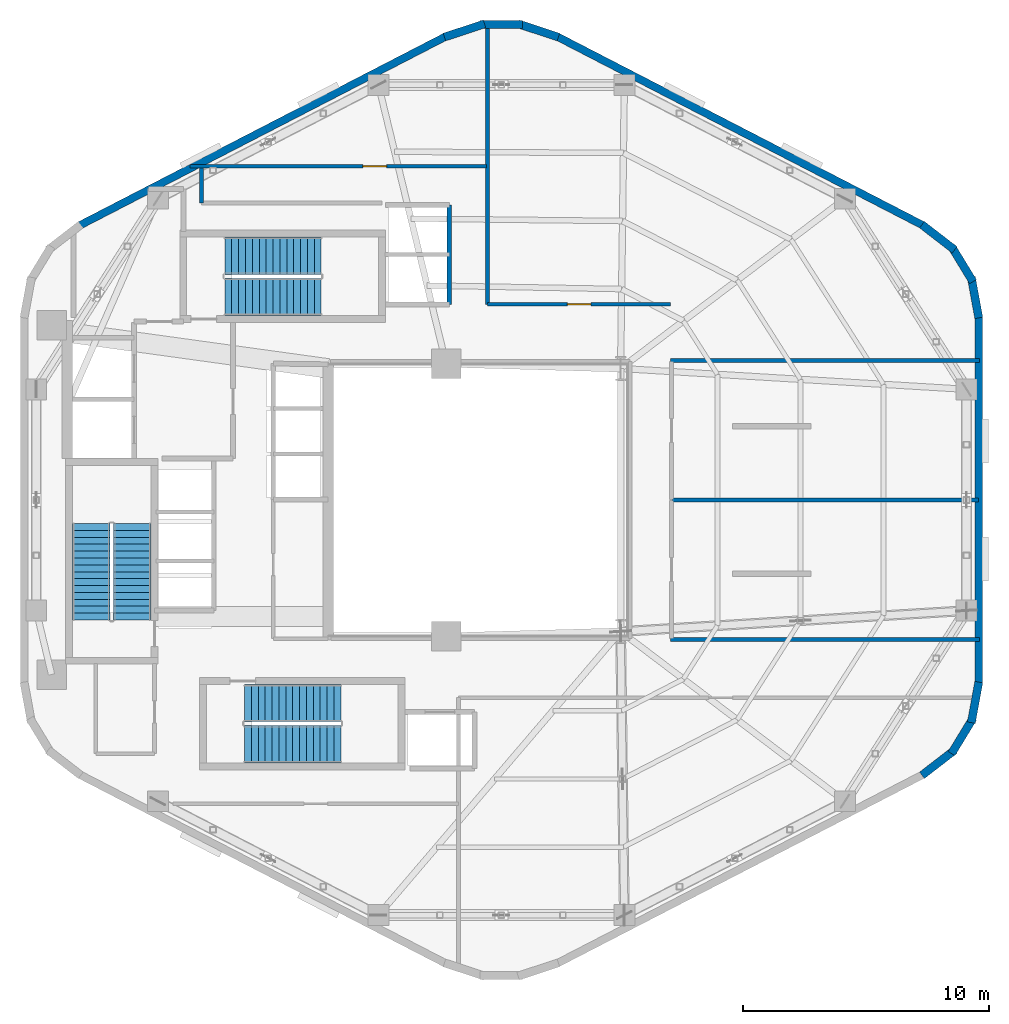
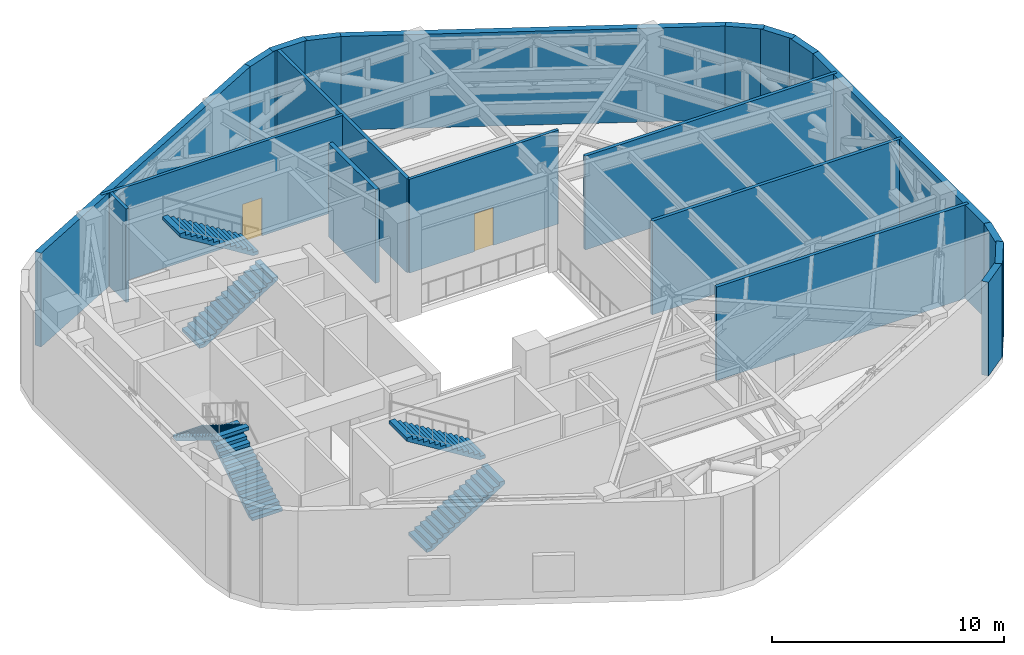
# One storey, part 8 of 10: 20 walls, 6 stair flights, 2 doors, 2 openings, 3 elements without a shape of their own.
"""IFC4 building model written with IfcOpenShell, lengths in metres."""

from ifc_helpers import new_model, si_unit, direction, frame, frame_2d, origin, place, context, subcontext, project, spatial, polyline, rectangle, outline, extrude, material, layer, layer_set, type_object, element, fill, aggregate, save


model = new_model("IFC4")

# Units and contexts
model_context = context("Model", 3, precision=1e-05, world=origin(), true_north=direction((0.0, 1.0)))
body_context = subcontext(model_context, "Body", "Model", "MODEL_VIEW")
ifc_project = project(units=[si_unit("LENGTHUNIT", "METRE"), si_unit("AREAUNIT", "SQUARE_METRE"), si_unit("VOLUMEUNIT", "CUBIC_METRE"), si_unit("PLANEANGLEUNIT", "RADIAN"), si_unit("MASSUNIT", "GRAM", prefix="KILO"), si_unit("THERMODYNAMICTEMPERATUREUNIT", "KELVIN"), si_unit("POWERUNIT", "WATT")], contexts=[model_context])

# Site, building, storey
site_placement = place(None, origin())
site = spatial("IfcSite", under=ifc_project, at=site_placement, CompositionType="ELEMENT")
building_placement = place(site_placement, origin())
building = spatial("IfcBuilding", under=site, at=building_placement, Name="Skarre Station Tower", CompositionType="ELEMENT")
storey_placement = place(building_placement, frame((0.0, 0.0, 191.25)))
storey = spatial("IfcBuildingStorey", under=building, at=storey_placement, Name="L52", CompositionType="ELEMENT", Elevation=191.25)

# Wall, opening, door
ifc_material_1 = material(Name="Acoustic Steel-Stud Gypsum Partition", Category="steel")
ifc_layer_1 = layer(ifc_material_1, 0.14990234375, Name="Acoustic Steel-Stud Gypsum Partition")
ifc_layer_set_1 = layer_set([ifc_layer_1], Name="Acoustic Steel-Stud Gypsum Partition")
wall_type_1 = type_object("IfcWallType", Name="Fire-Rated Corridor Acoustic Partition 150", PredefinedType="PARTITIONING", material=ifc_layer_set_1)
wall_1_placement = place(storey_placement, frame((34.0, 37.580078125, 0.0), z_axis=(0.0, 0.0, 1.0), x_axis=(-1.0, 0.0, 0.0)))
wall_1 = element("IfcWall", 1, at=wall_1_placement, inside=storey, type_object=wall_type_1, Name="L52 Interior Partition WL-PT-L52-PLTNW1-CW", PredefinedType="PARTITIONING", context=body_context, shape_type="SweptSolid", body=[
    extrude(rectangle(XDim=12.074951171875, YDim=0.14990234375, at=frame_2d((6.03759765625, 0.0))), origin(), (0.0, 0.0, 1.0), 4.93994140625),
])
opening_1_placement = place(wall_1_placement, frame((4.070068359375, 0.0, 0.0)))
opening_1 = element("IfcOpeningElement", 2, at=opening_1_placement, cuts=wall_1, Name="Opening DR-FD60", PredefinedType="OPENING", context=body_context, shape_type="SweptSolid", body=[
    extrude(rectangle(XDim=0.9599609375, YDim=2.0, at=frame_2d((0.47998046875, 1.0))), frame((0.0, 0.0849609375, 0.0), z_axis=(0.0, -1.0, 0.0), x_axis=(1.0, 0.0, 0.0)), (0.0, 0.0, 1.0), 0.169921875),
])
ifc_material_2 = material(Name="Nordic White-Oak Veneer Solid-Core Fire Leaf", Category="wood")
door_type = type_object("IfcDoorType", Name="Corridor Suite Entry Fire Door FD60 960x2150", OperationType="SINGLE_SWING_LEFT", PredefinedType="DOOR", material=ifc_material_2)
door_1_placement = place(opening_1_placement, origin())
door_1 = element("IfcDoor", 3, at=door_1_placement, inside=storey, type_object=door_type, Name="L52 PLTNW1 Entry Door", OperationType="SINGLE_SWING_LEFT", OverallHeight=2.0, OverallWidth=0.9599609375, PredefinedType="DOOR", context=body_context, shape_type="SweptSolid", body=[
    extrude(rectangle(XDim=0.9599609375, YDim=2.0, at=frame_2d((0.47998046875, 1.0))), frame((0.0, 0.02490234375, 0.0), z_axis=(0.0, -1.0, 0.0), x_axis=(1.0, 0.0, 0.0)), (0.0, 0.0, 1.0), 0.050048828125),
])
fill(opening_1, door_1)

wall_2_placement = place(storey_placement, frame((41.47998046875, 31.9599609375, 0.0), z_axis=(0.0, 0.0, 1.0), x_axis=(-1.0, 0.0, 0.0)))
wall_2 = element("IfcWall", 4, at=wall_2_placement, inside=storey, type_object=wall_type_1, Name="L52 Interior Partition WL-PT-L52-PLTN1-CW", PredefinedType="PARTITIONING", context=body_context, shape_type="SweptSolid", body=[
    extrude(rectangle(XDim=7.43994140625, YDim=0.14990234375, at=frame_2d((3.719970703125, 0.0))), origin(), (0.0, 0.0, 1.0), 4.93994140625),
])
opening_2_placement = place(wall_2_placement, frame((3.239990234375, 0.0, 0.0)))
opening_2 = element("IfcOpeningElement", 5, at=opening_2_placement, cuts=wall_2, Name="Opening DR-FD60", PredefinedType="OPENING", context=body_context, shape_type="SweptSolid", body=[
    extrude(rectangle(XDim=0.9599609375, YDim=2.0, at=frame_2d((0.47998046875, 1.0))), frame((0.0, 0.0849609375, 0.0), z_axis=(0.0, -1.0, 0.0), x_axis=(1.0, 0.0, 0.0)), (0.0, 0.0, 1.0), 0.169921875),
])
door_2_placement = place(opening_2_placement, origin())
door_2 = element("IfcDoor", 6, at=door_2_placement, inside=storey, type_object=door_type, Name="L52 PLTN1 Entry Door", OperationType="SINGLE_SWING_LEFT", OverallHeight=2.0, OverallWidth=0.9599609375, PredefinedType="DOOR", context=body_context, shape_type="SweptSolid", body=[
    extrude(rectangle(XDim=0.9599609375, YDim=2.0, at=frame_2d((0.47998046875, 1.0))), frame((0.0, 0.02490234375, 0.0), z_axis=(0.0, -1.0, 0.0), x_axis=(1.0, 0.0, 0.0)), (0.0, 0.0, 1.0), 0.050048828125),
])
fill(opening_2, door_2)

# Walls
wall_3_placement = place(storey_placement, frame((22.39990234375, 36.080078125, 0.0), z_axis=(0.0, 0.0, 1.0), x_axis=(0.0, 1.0, 0.0)))
element("IfcWall", 7, at=wall_3_placement, inside=storey, type_object=wall_type_1, Name="L52 Interior Partition WL-PT-L52-CSEAL-2", PredefinedType="PARTITIONING", context=body_context, shape_type="SweptSolid", body=[
    extrude(rectangle(XDim=1.429931640625, YDim=0.14990234375, at=frame_2d((0.71484375, 0.0))), origin(), (0.0, 0.0, 1.0), 4.93994140625),
])
ifc_material_3 = material(Name="Precast concrete C45/55", Category="concrete")
ifc_layer_2 = layer(ifc_material_3, 0.330078125, Name="Precast concrete C45/55")
ifc_layer_set_2 = layer_set([ifc_layer_2], Name="Precast concrete C45/55")
wall_type_2 = type_object("IfcWallType", Name="Nordic Rounded Corner Precast Wall 330", PredefinedType="STANDARD", material=ifc_layer_set_2)
wall_4_placement = place(storey_placement, frame((51.7109375, 35.199951171875, 0.0), z_axis=(0.0, 0.0, 1.0), x_axis=(0.791464279355, -0.611215423976, 0.0)))
element("IfcWall", 8, at=wall_4_placement, inside=storey, type_object=wall_type_2, Name="L52 Rounded Corner Precast Wall F0-1", PredefinedType="STANDARD", context=body_context, shape_type="SweptSolid", body=[
    extrude(rectangle(XDim=1.6767578125, YDim=0.330078125, at=frame_2d((0.83837890625, 0.0))), origin(), (0.0, 0.0, 1.0), 4.93994140625),
])
wall_5_placement = place(storey_placement, frame((52.912109375, 34.31494140625, 0.0), z_axis=(0.0, 0.0, 1.0), x_axis=(0.520219286058, -0.85403272444, 0.0)))
element("IfcWall", 9, at=wall_5_placement, inside=storey, type_object=wall_type_2, Name="L52 Rounded Corner Precast Wall F0-2", PredefinedType="STANDARD", context=body_context, shape_type="SweptSolid", body=[
    extrude(rectangle(XDim=1.677734375, YDim=0.330078125, at=frame_2d((0.8388671875, 0.0))), origin(), (0.0, 0.0, 1.0), 4.93994140625),
])
wall_6_placement = place(storey_placement, frame((53.718017578125, 33.056884765625, 0.0), z_axis=(0.0, 0.0, 1.0), x_axis=(0.180717642671, -0.983535019014, 0.0)))
element("IfcWall", 10, at=wall_6_placement, inside=storey, type_object=wall_type_2, Name="L52 Rounded Corner Precast Wall F0-3", PredefinedType="STANDARD", context=body_context, shape_type="SweptSolid", body=[
    extrude(rectangle(XDim=1.676513671875, YDim=0.330078125, at=frame_2d((0.83837890625, 0.0))), origin(), (0.0, 0.0, 1.0), 4.93994140625),
])
wall_7_placement = place(storey_placement, frame((32.281005859375, 42.83203125, 0.0), z_axis=(0.0, 0.0, 1.0), x_axis=(0.949937416267, 0.312440242569, 0.0)))
element("IfcWall", 11, at=wall_7_placement, inside=storey, type_object=wall_type_2, Name="L52 Rounded Corner Precast Wall F1-1", PredefinedType="STANDARD", context=body_context, shape_type="SweptSolid", body=[
    extrude(rectangle(XDim=1.72216796875, YDim=0.330078125, at=frame_2d((0.861083984375, 0.0))), origin(), (0.0, 0.0, 1.0), 4.93994140625),
])
wall_8_placement = place(storey_placement, frame((33.739013671875, 43.341064453125, 0.0), z_axis=(0.0, 0.0, 1.0), x_axis=(1.0, 0.0, 0.0)))
element("IfcWall", 12, at=wall_8_placement, inside=storey, type_object=wall_type_2, Name="L52 Rounded Corner Precast Wall F1-2", PredefinedType="STANDARD", context=body_context, shape_type="SweptSolid", body=[
    extrude(rectangle(XDim=1.721923828125, YDim=0.330078125, at=frame_2d((0.86083984375, 0.0))), origin(), (0.0, 0.0, 1.0), 4.93994140625),
])
wall_9_placement = place(storey_placement, frame((35.282958984375, 43.3701171875, 0.0), z_axis=(0.0, 0.0, 1.0), x_axis=(0.949937416267, -0.312440242569, 0.0)))
element("IfcWall", 13, at=wall_9_placement, inside=storey, type_object=wall_type_2, Name="L52 Rounded Corner Precast Wall F1-3", PredefinedType="STANDARD", context=body_context, shape_type="SweptSolid", body=[
    extrude(rectangle(XDim=1.72216796875, YDim=0.330078125, at=frame_2d((0.861083984375, 0.0))), origin(), (0.0, 0.0, 1.0), 4.93994140625),
])
wall_10_placement = place(storey_placement, frame((54.02099609375, 16.592041015625, 0.0), z_axis=(0.0, 0.0, 1.0), x_axis=(-0.180717642671, -0.983535019014, 0.0)))
element("IfcWall", 14, at=wall_10_placement, inside=storey, type_object=wall_type_2, Name="L52 Rounded Corner Precast Wall F5-1", PredefinedType="STANDARD", context=body_context, shape_type="SweptSolid", body=[
    extrude(rectangle(XDim=1.676513671875, YDim=0.330078125, at=frame_2d((0.83837890625, 0.0))), origin(), (0.0, 0.0, 1.0), 4.93994140625),
])
wall_11_placement = place(storey_placement, frame((53.784912109375, 15.117919921875, 0.0), z_axis=(0.0, 0.0, 1.0), x_axis=(-0.520219286058, -0.85403272444, 0.0)))
element("IfcWall", 15, at=wall_11_placement, inside=storey, type_object=wall_type_2, Name="L52 Rounded Corner Precast Wall F5-2", PredefinedType="STANDARD", context=body_context, shape_type="SweptSolid", body=[
    extrude(rectangle(XDim=1.677734375, YDim=0.330078125, at=frame_2d((0.8388671875, 0.0))), origin(), (0.0, 0.0, 1.0), 4.93994140625),
])
wall_12_placement = place(storey_placement, frame((53.0380859375, 13.824951171875, 0.0), z_axis=(0.0, 0.0, 1.0), x_axis=(-0.791464279355, -0.611215423976, 0.0)))
element("IfcWall", 16, at=wall_12_placement, inside=storey, type_object=wall_type_2, Name="L52 Rounded Corner Precast Wall F5-3", PredefinedType="STANDARD", context=body_context, shape_type="SweptSolid", body=[
    extrude(rectangle(XDim=1.6767578125, YDim=0.330078125, at=frame_2d((0.83837890625, 0.0))), origin(), (0.0, 0.0, 1.0), 4.93994140625),
])
ifc_layer_3 = layer(ifc_material_3, 0.31005859375, Name="Precast concrete C45/55")
ifc_layer_set_3 = layer_set([ifc_layer_3], Name="Precast concrete C45/55")
wall_type_3 = type_object("IfcWallType", Name="Nordic Upper-Zone Precast Facet Wall 310", PredefinedType="STANDARD", material=ifc_layer_set_3)
for number, where, z_axis, x_axis, name in (
    (17, (36.837890625, 42.87109375, 0.0), (0.0, 0.0, 1.0), (0.888626188278, -0.458632202867, 0.0), "L52 Facet 0 Nordic Precast Masonry Wall"),
    (18, (17.407958984375, 35.153076171875, 0.0), (0.0, 0.0, 1.0), (0.888626188278, 0.458632202867, 0.0), "L52 Facet 1 Nordic Precast Masonry Wall"),
):
    element("IfcWall", number, at=place(storey_placement, frame(where, z_axis=z_axis, x_axis=x_axis)), inside=storey, type_object=wall_type_3, Name=name, PredefinedType="STANDARD", context=body_context, shape_type="SweptSolid", body=[
        extrude(rectangle(XDim=16.828369140625, YDim=0.31005859375, at=frame_2d((8.4140625, 0.0))), origin(), (0.0, 0.0, 1.0), 4.93994140625),
    ])
wall_13_placement = place(storey_placement, frame((54.01708984375, 31.501953125, 0.0), z_axis=(0.0, 0.0, 1.0), x_axis=(0.0, -1.0, 0.0)))
element("IfcWall", 19, at=wall_13_placement, inside=storey, type_object=wall_type_3, Name="L52 Facet 5 Nordic Precast Masonry Wall", PredefinedType="STANDARD", context=body_context, shape_type="SweptSolid", body=[
    extrude(rectangle(XDim=15.00390625, YDim=0.31005859375, at=frame_2d((7.501953125, 0.0))), origin(), (0.0, 0.0, 1.0), 4.93994140625),
])
ifc_material_4 = material(Name="Gypsum Concrete Shaft Assembly C30/37", Category="concrete")
ifc_layer_4 = layer(ifc_material_4, 0.199951171875, Name="Gypsum Concrete Shaft Assembly C30/37")
ifc_layer_set_4 = layer_set([ifc_layer_4], Name="Gypsum Concrete Shaft Assembly C30/37")
wall_type_4 = type_object("IfcWallType", Name="Shaft & Core Fire Partition 200", PredefinedType="PARTITIONING", material=ifc_layer_set_4)
wall_14_placement = place(storey_placement, frame((32.47998046875, 31.949951171875, 0.0), z_axis=(0.0, 0.0, 1.0), x_axis=(0.0, 1.0, 0.0)))
element("IfcWall", 20, at=wall_14_placement, inside=storey, type_object=wall_type_4, Name="L52 Interior Partition WL-PT-L52-EX-E", PredefinedType="PARTITIONING", context=body_context, shape_type="SweptSolid", body=[
    extrude(rectangle(XDim=4.050048828125, YDim=0.199951171875, at=frame_2d((2.02490234375, 0.0))), origin(), (0.0, 0.0, 1.0), 4.93994140625),
])
ifc_layer_5 = layer(ifc_material_1, 0.1650390625, Name="Acoustic Steel-Stud Gypsum Partition")
ifc_layer_set_5 = layer_set([ifc_layer_5], Name="Acoustic Steel-Stud Gypsum Partition")
wall_type_5 = type_object("IfcWallType", Name="Suite Demising Acoustic Partition 165", PredefinedType="PARTITIONING", material=ifc_layer_set_5)
wall_15_placement = place(storey_placement, frame((34.0400390625, 31.9599609375, 0.0), z_axis=(0.0, 0.0, 1.0), x_axis=(0.0, 1.0, 0.0)))
element("IfcWall", 21, at=wall_15_placement, inside=storey, type_object=wall_type_5, Name="L52 Interior Partition WL-PT-L52-PLTN-WBND", PredefinedType="PARTITIONING", context=body_context, shape_type="SweptSolid", body=[
    extrude(rectangle(XDim=11.3759765625, YDim=0.1650390625, at=frame_2d((5.68798828125, 0.0))), origin(), (0.0, 0.0, 1.0), 4.93994140625),
])
for number, where, z_axis, x_axis, name in (
    (22, (41.47998046875, 18.320068359375, 0.0), (0.0, 0.0, 1.0), (1.0, 0.0, 0.0), "L52 Interior Partition WL-PT-L52-PLTE-S"),
    (23, (41.47998046875, 29.679931640625, 0.0), (0.0, 0.0, 1.0), (1.0, 0.0, 0.0), "L52 Interior Partition WL-PT-L52-PLTE-N"),
):
    element("IfcWall", number, at=place(storey_placement, frame(where, z_axis=z_axis, x_axis=x_axis)), inside=storey, type_object=wall_type_5, Name=name, PredefinedType="PARTITIONING", context=body_context, shape_type="SweptSolid", body=[
        extrude(rectangle(XDim=12.56201171875, YDim=0.1650390625, at=frame_2d((6.281005859375, 0.0))), origin(), (0.0, 0.0, 1.0), 4.93994140625),
    ])
wall_16_placement = place(storey_placement, frame((41.550048828125, 24.0, 0.0), z_axis=(0.0, 0.0, 1.0), x_axis=(1.0, 0.0, 0.0)))
element("IfcWall", 24, at=wall_16_placement, inside=storey, type_object=wall_type_5, Name="L52 Interior Partition WL-PT-L52-PLTE-P1", PredefinedType="PARTITIONING", context=body_context, shape_type="SweptSolid", body=[
    extrude(rectangle(XDim=12.451904296875, YDim=0.1650390625, at=frame_2d((6.22607421875, 0.0))), origin(), (0.0, 0.0, 1.0), 4.93994140625),
])

# Stair, stair flights
ifc_material_5 = material(Name="Concrete C40/50", Category="concrete")
stair_type_1 = type_object("IfcStairType", Name="Reinforced Concrete Exit Stair ST-1", PredefinedType="HALF_TURN_STAIR", material=ifc_material_5)
stair_1_placement = place(storey_placement, origin())
stair_1 = element("IfcStair", 25, at=stair_1_placement, inside=storey, type_object=stair_type_1, Name="L52 Core Exit Stair ST-1", PredefinedType="HALF_TURN_STAIR")
stair_flight_type_1 = type_object("IfcStairFlightType", Name="Reinforced Concrete Stair Flight ST-1", PredefinedType="STRAIGHT", material=ifc_material_5)
stair_flight_1_placement = place(storey_placement, frame((19.590087890625, 19.1201171875, 0.0), z_axis=(0.0, 0.0, 1.0), x_axis=(0.0, 1.0, 0.0)))
stair_flight_1 = element("IfcStairFlight", 26, at=stair_flight_1_placement, type_object=stair_flight_type_1, Name="ST-1 flight 1", NumberOfRisers=15, NumberOfTreads=14, PredefinedType="STRAIGHT", RiserHeight=0.173333333, TreadLength=0.28, context=body_context, shape_type="SweptSolid", body=[
    extrude(outline(polyline([(0.0, 0.0), (0.0, 0.17333984375), (0.280029296875, 0.17333984375), (0.280029296875, 0.3466796875), (0.56005859375, 0.3466796875), (0.56005859375, 0.52001953125), (0.840087890625, 0.52001953125), (0.840087890625, 0.693359375), (1.1201171875, 0.693359375), (1.1201171875, 0.86669921875), (1.39990234375, 0.86669921875), (1.39990234375, 1.0400390625), (1.679931640625, 1.0400390625), (1.679931640625, 1.21337890625), (1.9599609375, 1.21337890625), (1.9599609375, 1.38671875), (2.239990234375, 1.38671875), (2.239990234375, 1.56005859375), (2.52001953125, 1.56005859375), (2.52001953125, 1.7333984375), (2.800048828125, 1.7333984375), (2.800048828125, 1.90673828125), (3.080078125, 1.90673828125), (3.080078125, 2.080078125), (3.360107421875, 2.080078125), (3.360107421875, 2.25341796875), (3.639892578125, 2.25341796875), (3.639892578125, 2.4267578125), (3.919921875, 2.4267578125), (3.919921875, 2.60009765625), (3.919921875, 2.250244140625), (0.284912109375, 0.0), (0.0, 0.0)])), frame((0.0, 0.760009765625, 0.0), z_axis=(0.0, -1.0, 0.0), x_axis=(1.0, 0.0, 0.0)), (0.0, 0.0, 1.0), 1.52001953125),
])
stair_flight_2_placement = place(storey_placement, frame((17.909912109375, 23.0400390625, 2.60009765625), z_axis=(0.0, 0.0, 1.0), x_axis=(0.0, -1.0, 0.0)))
stair_flight_2 = element("IfcStairFlight", 27, at=stair_flight_2_placement, type_object=stair_flight_type_1, Name="ST-1 flight 2", NumberOfRisers=15, NumberOfTreads=14, PredefinedType="STRAIGHT", RiserHeight=0.173333333, TreadLength=0.28, context=body_context, shape_type="SweptSolid", body=[
    extrude(outline(polyline([(0.0, 0.0), (0.0, 0.17333984375), (0.280029296875, 0.17333984375), (0.280029296875, 0.3466796875), (0.56005859375, 0.3466796875), (0.56005859375, 0.52001953125), (0.840087890625, 0.52001953125), (0.840087890625, 0.693359375), (1.1201171875, 0.693359375), (1.1201171875, 0.86669921875), (1.39990234375, 0.86669921875), (1.39990234375, 1.0400390625), (1.679931640625, 1.0400390625), (1.679931640625, 1.21337890625), (1.9599609375, 1.21337890625), (1.9599609375, 1.38671875), (2.239990234375, 1.38671875), (2.239990234375, 1.56005859375), (2.52001953125, 1.56005859375), (2.52001953125, 1.7333984375), (2.800048828125, 1.7333984375), (2.800048828125, 1.90673828125), (3.080078125, 1.90673828125), (3.080078125, 2.080078125), (3.360107421875, 2.080078125), (3.360107421875, 2.25341796875), (3.639892578125, 2.25341796875), (3.639892578125, 2.4267578125), (3.919921875, 2.4267578125), (3.919921875, 2.60009765625), (3.919921875, 2.250244140625), (0.284912109375, 0.0), (0.0, 0.0)])), frame((0.0, 0.760009765625, 0.0), z_axis=(0.0, -1.0, 0.0), x_axis=(1.0, 0.0, 0.0)), (0.0, 0.0, 1.0), 1.52001953125),
])
aggregate(stair_1, [stair_flight_1, stair_flight_2])

stair_type_2 = type_object("IfcStairType", Name="Reinforced Concrete Exit Stair ST-2", PredefinedType="HALF_TURN_STAIR", material=ifc_material_5)
stair_2_placement = place(storey_placement, origin())
stair_2 = element("IfcStair", 28, at=stair_2_placement, inside=storey, type_object=stair_type_2, Name="L52 Core Exit Stair ST-2", PredefinedType="HALF_TURN_STAIR")
stair_flight_type_2 = type_object("IfcStairFlightType", Name="Reinforced Concrete Stair Flight ST-2", PredefinedType="STRAIGHT", material=ifc_material_5)
stair_flight_3_placement = place(storey_placement, frame((24.14990234375, 14.06005859375, 0.0), z_axis=(0.0, 0.0, 1.0), x_axis=(1.0, 0.0, 0.0)))
stair_flight_3 = element("IfcStairFlight", 29, at=stair_flight_3_placement, type_object=stair_flight_type_2, Name="ST-2 flight 1", NumberOfRisers=15, NumberOfTreads=14, PredefinedType="STRAIGHT", RiserHeight=0.173333333, TreadLength=0.28, context=body_context, shape_type="SweptSolid", body=[
    extrude(outline(polyline([(0.0, 0.0), (0.0, 0.17333984375), (0.280029296875, 0.17333984375), (0.280029296875, 0.3466796875), (0.56005859375, 0.3466796875), (0.56005859375, 0.52001953125), (0.840087890625, 0.52001953125), (0.840087890625, 0.693359375), (1.1201171875, 0.693359375), (1.1201171875, 0.86669921875), (1.39990234375, 0.86669921875), (1.39990234375, 1.0400390625), (1.679931640625, 1.0400390625), (1.679931640625, 1.21337890625), (1.9599609375, 1.21337890625), (1.9599609375, 1.38671875), (2.239990234375, 1.38671875), (2.239990234375, 1.56005859375), (2.52001953125, 1.56005859375), (2.52001953125, 1.7333984375), (2.800048828125, 1.7333984375), (2.800048828125, 1.90673828125), (3.080078125, 1.90673828125), (3.080078125, 2.080078125), (3.360107421875, 2.080078125), (3.360107421875, 2.25341796875), (3.639892578125, 2.25341796875), (3.639892578125, 2.4267578125), (3.919921875, 2.4267578125), (3.919921875, 2.60009765625), (3.919921875, 2.250244140625), (0.284912109375, 0.0), (0.0, 0.0)])), frame((0.0, 0.760009765625, 0.0), z_axis=(0.0, -1.0, 0.0), x_axis=(1.0, 0.0, 0.0)), (0.0, 0.0, 1.0), 1.52001953125),
])
stair_flight_4_placement = place(storey_placement, frame((28.070068359375, 15.739990234375, 2.60009765625), z_axis=(0.0, 0.0, 1.0), x_axis=(-1.0, 0.0, 0.0)))
stair_flight_4 = element("IfcStairFlight", 30, at=stair_flight_4_placement, type_object=stair_flight_type_2, Name="ST-2 flight 2", NumberOfRisers=15, NumberOfTreads=14, PredefinedType="STRAIGHT", RiserHeight=0.173333333, TreadLength=0.28, context=body_context, shape_type="SweptSolid", body=[
    extrude(outline(polyline([(0.0, 0.0), (0.0, 0.17333984375), (0.280029296875, 0.17333984375), (0.280029296875, 0.3466796875), (0.56005859375, 0.3466796875), (0.56005859375, 0.52001953125), (0.840087890625, 0.52001953125), (0.840087890625, 0.693359375), (1.1201171875, 0.693359375), (1.1201171875, 0.86669921875), (1.39990234375, 0.86669921875), (1.39990234375, 1.0400390625), (1.679931640625, 1.0400390625), (1.679931640625, 1.21337890625), (1.9599609375, 1.21337890625), (1.9599609375, 1.38671875), (2.239990234375, 1.38671875), (2.239990234375, 1.56005859375), (2.52001953125, 1.56005859375), (2.52001953125, 1.7333984375), (2.800048828125, 1.7333984375), (2.800048828125, 1.90673828125), (3.080078125, 1.90673828125), (3.080078125, 2.080078125), (3.360107421875, 2.080078125), (3.360107421875, 2.25341796875), (3.639892578125, 2.25341796875), (3.639892578125, 2.4267578125), (3.919921875, 2.4267578125), (3.919921875, 2.60009765625), (3.919921875, 2.250244140625), (0.284912109375, 0.0), (0.0, 0.0)])), frame((0.0, 0.760009765625, 0.0), z_axis=(0.0, -1.0, 0.0), x_axis=(1.0, 0.0, 0.0)), (0.0, 0.0, 1.0), 1.52001953125),
])
aggregate(stair_2, [stair_flight_3, stair_flight_4])

stair_type_3 = type_object("IfcStairType", Name="Reinforced Concrete Exit Stair ST-3", PredefinedType="HALF_TURN_STAIR", material=ifc_material_5)
stair_3_placement = place(storey_placement, origin())
stair_3 = element("IfcStair", 31, at=stair_3_placement, inside=storey, type_object=stair_type_3, Name="L52 Core Exit Stair ST-3", PredefinedType="HALF_TURN_STAIR")
stair_flight_type_3 = type_object("IfcStairFlightType", Name="Reinforced Concrete Stair Flight ST-3", PredefinedType="STRAIGHT", material=ifc_material_5)
stair_flight_5_placement = place(storey_placement, frame((23.35009765625, 32.260009765625, 0.0), z_axis=(0.0, 0.0, 1.0), x_axis=(1.0, 0.0, 0.0)))
stair_flight_5 = element("IfcStairFlight", 32, at=stair_flight_5_placement, type_object=stair_flight_type_3, Name="ST-3 flight 1", NumberOfRisers=15, NumberOfTreads=14, PredefinedType="STRAIGHT", RiserHeight=0.173333333, TreadLength=0.28, context=body_context, shape_type="SweptSolid", body=[
    extrude(outline(polyline([(0.0, 0.0), (0.0, 0.17333984375), (0.280029296875, 0.17333984375), (0.280029296875, 0.3466796875), (0.56005859375, 0.3466796875), (0.56005859375, 0.52001953125), (0.840087890625, 0.52001953125), (0.840087890625, 0.693359375), (1.1201171875, 0.693359375), (1.1201171875, 0.86669921875), (1.39990234375, 0.86669921875), (1.39990234375, 1.0400390625), (1.679931640625, 1.0400390625), (1.679931640625, 1.21337890625), (1.9599609375, 1.21337890625), (1.9599609375, 1.38671875), (2.239990234375, 1.38671875), (2.239990234375, 1.56005859375), (2.52001953125, 1.56005859375), (2.52001953125, 1.7333984375), (2.800048828125, 1.7333984375), (2.800048828125, 1.90673828125), (3.080078125, 1.90673828125), (3.080078125, 2.080078125), (3.360107421875, 2.080078125), (3.360107421875, 2.25341796875), (3.639892578125, 2.25341796875), (3.639892578125, 2.4267578125), (3.919921875, 2.4267578125), (3.919921875, 2.60009765625), (3.919921875, 2.250244140625), (0.284912109375, 0.0), (0.0, 0.0)])), frame((0.0, 0.760009765625, 0.0), z_axis=(0.0, -1.0, 0.0), x_axis=(1.0, 0.0, 0.0)), (0.0, 0.0, 1.0), 1.52001953125),
])
stair_flight_6_placement = place(storey_placement, frame((27.27001953125, 33.93994140625, 2.60009765625), z_axis=(0.0, 0.0, 1.0), x_axis=(-1.0, 0.0, 0.0)))
stair_flight_6 = element("IfcStairFlight", 33, at=stair_flight_6_placement, type_object=stair_flight_type_3, Name="ST-3 flight 2", NumberOfRisers=15, NumberOfTreads=14, PredefinedType="STRAIGHT", RiserHeight=0.173333333, TreadLength=0.28, context=body_context, shape_type="SweptSolid", body=[
    extrude(outline(polyline([(0.0, 0.0), (0.0, 0.17333984375), (0.280029296875, 0.17333984375), (0.280029296875, 0.3466796875), (0.56005859375, 0.3466796875), (0.56005859375, 0.52001953125), (0.840087890625, 0.52001953125), (0.840087890625, 0.693359375), (1.1201171875, 0.693359375), (1.1201171875, 0.86669921875), (1.39990234375, 0.86669921875), (1.39990234375, 1.0400390625), (1.679931640625, 1.0400390625), (1.679931640625, 1.21337890625), (1.9599609375, 1.21337890625), (1.9599609375, 1.38671875), (2.239990234375, 1.38671875), (2.239990234375, 1.56005859375), (2.52001953125, 1.56005859375), (2.52001953125, 1.7333984375), (2.800048828125, 1.7333984375), (2.800048828125, 1.90673828125), (3.080078125, 1.90673828125), (3.080078125, 2.080078125), (3.360107421875, 2.080078125), (3.360107421875, 2.25341796875), (3.639892578125, 2.25341796875), (3.639892578125, 2.4267578125), (3.919921875, 2.4267578125), (3.919921875, 2.60009765625), (3.919921875, 2.250244140625), (0.284912109375, 0.0), (0.0, 0.0)])), frame((0.0, 0.760009765625, 0.0), z_axis=(0.0, -1.0, 0.0), x_axis=(1.0, 0.0, 0.0)), (0.0, 0.0, 1.0), 1.52001953125),
])
aggregate(stair_3, [stair_flight_5, stair_flight_6])

save(model, "model.ifc")
